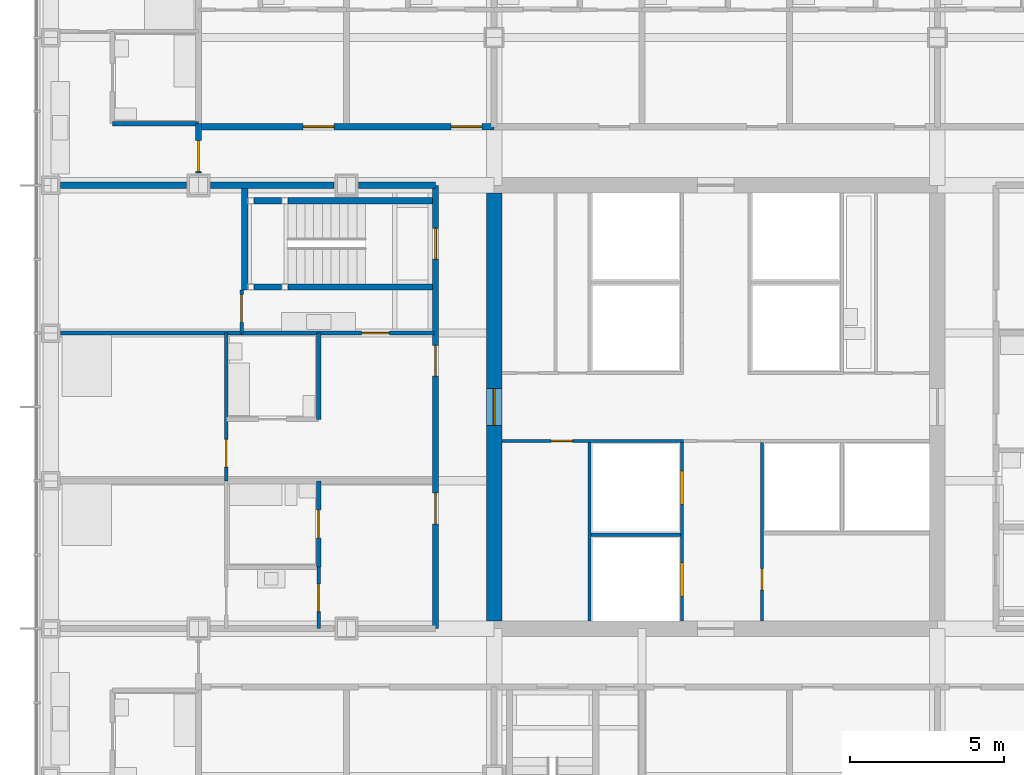
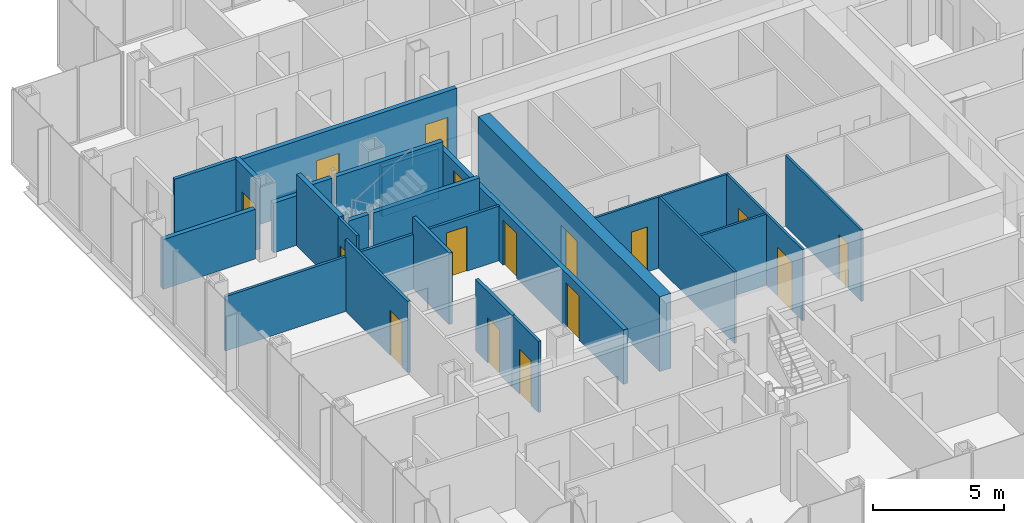
# One storey, part 15 of 22: 25 walls, 16 doors, 16 openings.
"""IFC4 building model written with IfcOpenShell, lengths in metres."""

from ifc_helpers import new_model, si_unit, direction, frame, frame_2d, origin, place, context, subcontext, project, spatial, rectangle, extrude, material, layer, layer_set, type_object, element, fill, save


model = new_model("IFC4")

# Units and contexts
model_context = context("Model", 3, precision=1e-05, world=origin(), true_north=direction((0.0, 1.0)))
body_context = subcontext(model_context, "Body", "Model", "MODEL_VIEW")
ifc_project = project(units=[si_unit("LENGTHUNIT", "METRE"), si_unit("AREAUNIT", "SQUARE_METRE"), si_unit("VOLUMEUNIT", "CUBIC_METRE"), si_unit("PLANEANGLEUNIT", "RADIAN"), si_unit("MASSUNIT", "GRAM", prefix="KILO")], contexts=[model_context])

# Site, building, storey
site_placement = place(None, origin())
site = spatial("IfcSite", under=ifc_project, at=site_placement, CompositionType="ELEMENT")
building_placement = place(site_placement, origin())
building = spatial("IfcBuilding", under=site, at=building_placement, Name="Kvirike Care Tower", CompositionType="ELEMENT")
storey_placement = place(building_placement, frame((0.0, 0.0, 69.0)))
storey = spatial("IfcBuildingStorey", under=building, at=storey_placement, Name="L18", CompositionType="ELEMENT", Elevation=69.0)

# Wall
ifc_material_1 = material(Name="Moisture-resistant board partition", Category="gypsum")
ifc_layer_1 = layer(ifc_material_1, 0.14990234375)
ifc_layer_set_1 = layer_set([ifc_layer_1], Name="BATHROOM WALL 150")
wall_type_1 = type_object("IfcWallType", Name="BATHROOM WALL 150", PredefinedType="PARTITIONING", material=ifc_layer_set_1)
wall_1_placement = place(storey_placement, frame((8.699951171875, 38.39990234375, 0.0), z_axis=(0.0, 0.0, 1.0), x_axis=(0.0, -1.0, 0.0)))
element("IfcWall", 1, at=wall_1_placement, inside=storey, type_object=wall_type_1, Name="Bathroom Wall 150 L18", PredefinedType="PARTITIONING", context=body_context, shape_type="SweptSolid", body=[
    extrude(rectangle(XDim=2.7998046875, YDim=0.14990234375, at=frame_2d((1.39990234375, 0.0))), origin(), (0.0, 0.0, 1.0), 3.330078125),
])

# Wall, opening, door
wall_2_placement = place(storey_placement, frame((8.699951171875, 33.60009765625, 0.0), z_axis=(0.0, 0.0, 1.0), x_axis=(0.0, -1.0, 0.0)))
wall_2 = element("IfcWall", 2, at=wall_2_placement, inside=storey, type_object=wall_type_1, Name="Bathroom Wall 150 L18", PredefinedType="PARTITIONING", context=body_context, shape_type="SweptSolid", body=[
    extrude(rectangle(XDim=2.800048828125, YDim=0.14990234375, at=frame_2d((1.39990234375, 0.0))), origin(), (0.0, 0.0, 1.0), 3.330078125),
])
opening_1_placement = place(wall_2_placement, frame((0.949951171875, 0.0, 0.0)))
opening_1 = element("IfcOpeningElement", 3, at=opening_1_placement, cuts=wall_2, Name="Opening 18-016", PredefinedType="OPENING", context=body_context, shape_type="SweptSolid", body=[
    extrude(rectangle(XDim=0.89990234375, YDim=2.10009765625, at=frame_2d((0.449951171875, 1.050048828125))), frame((0.0, 0.08544921875, 0.0), z_axis=(0.0, -1.0, 0.0), x_axis=(1.0, 0.0, 0.0)), (0.0, 0.0, 1.0), 0.1708984375),
])
ifc_material_2 = material(Name="Timber door set", Category="wood")
door_type_1 = type_object("IfcDoorType", Name="BATHROOM DOOR 900", OperationType="SINGLE_SWING_RIGHT", PredefinedType="DOOR", material=ifc_material_2)
door_1_placement = place(opening_1_placement, frame((0.89990234375, 0.0, 0.0), z_axis=(0.0, 0.0, 1.0), x_axis=(-1.0, 0.0, 0.0)))
door_1 = element("IfcDoor", 4, at=door_1_placement, inside=storey, type_object=door_type_1, Name="Bathroom door", OperationType="SINGLE_SWING_LEFT", OverallHeight=2.10009765625, OverallWidth=0.89990234375, PredefinedType="DOOR", context=body_context, shape_type="SweptSolid", body=[
    extrude(rectangle(XDim=0.89990234375, YDim=2.10009765625, at=frame_2d((0.449951171875, 1.050048828125))), frame((0.0, 0.02197265625, 0.0), z_axis=(0.0, -1.0, 0.0), x_axis=(1.0, 0.0, 0.0)), (0.0, 0.0, 1.0), 0.0439453125),
])
fill(opening_1, door_1)

# Wall
wall_3_placement = place(storey_placement, frame((4.800048828125, 45.199951171875, 0.0), z_axis=(0.0, 0.0, 1.0), x_axis=(-1.0, 0.0, 0.0)))
element("IfcWall", 5, at=wall_3_placement, inside=storey, type_object=wall_type_1, Name="Bathroom Wall 150 L18", PredefinedType="PARTITIONING", context=body_context, shape_type="SweptSolid", body=[
    extrude(rectangle(XDim=2.800048828125, YDim=0.14990234375, at=frame_2d((1.39990234375, 0.0))), origin(), (0.0, 0.0, 1.0), 3.330078125),
])

# Wall, opening, door
ifc_material_3 = material(Name="Concrete C60/75", Category="concrete")
ifc_layer_2 = layer(ifc_material_3, 0.5)
ifc_layer_set_2 = layer_set([ifc_layer_2], Name="CORE WALL 500 C60-75")
wall_type_2 = type_object("IfcWallType", Name="CORE WALL 500 C60-75", PredefinedType="SHEAR", material=ifc_layer_set_2)
wall_4_placement = place(storey_placement, frame((14.39990234375, 42.949951171875, -0.169921875), z_axis=(0.0, 0.0, 1.0), x_axis=(0.0, -1.0, 0.0)))
wall_4 = element("IfcWall", 6, at=wall_4_placement, inside=storey, type_object=wall_type_2, Name="Core wall W L18", PredefinedType="SHEAR", context=body_context, shape_type="SweptSolid", body=[
    extrude(rectangle(XDim=13.89990234375, YDim=0.5, at=frame_2d((6.949951171875, 0.0))), origin(), (0.0, 0.0, 1.0), 3.5),
])
opening_2_placement = place(wall_4_placement, frame((6.35009765625, 0.0, 0.169921875)))
opening_2 = element("IfcOpeningElement", 7, at=opening_2_placement, cuts=wall_4, Name="Opening 18-099", PredefinedType="OPENING", context=body_context, shape_type="SweptSolid", body=[
    extrude(rectangle(XDim=1.199951171875, YDim=2.10009765625, at=frame_2d((0.60009765625, 1.050048828125))), frame((0.0, 0.260498046875, 0.0), z_axis=(0.0, -1.0, 0.0), x_axis=(1.0, 0.0, 0.0)), (0.0, 0.0, 1.0), 0.52099609375),
])
ifc_material_4 = material(Name="Timber door set", Category="wood")
door_type_2 = type_object("IfcDoorType", Name="CORE DOOR 1200", OperationType="SINGLE_SWING_LEFT", PredefinedType="DOOR", material=ifc_material_4)
door_2_placement = place(opening_2_placement, origin())
door_2 = element("IfcDoor", 8, at=door_2_placement, inside=storey, type_object=door_type_2, Name="Core door W L18", OperationType="SINGLE_SWING_LEFT", OverallHeight=2.10009765625, OverallWidth=1.199951171875, PredefinedType="DOOR", context=body_context, shape_type="SweptSolid", body=[
    extrude(rectangle(XDim=1.199951171875, YDim=2.10009765625, at=frame_2d((0.60009765625, 1.050048828125))), frame((0.0, 0.02685546875, 0.0), z_axis=(0.0, -1.0, 0.0), x_axis=(1.0, 0.0, 0.0)), (0.0, 0.0, 1.0), 0.053955078125),
])
fill(opening_2, door_2)

# Wall, openings, doors
ifc_material_5 = material(Name="Plasterboard corridor wall", Category="gypsum")
ifc_layer_3 = layer(ifc_material_5, 0.199951171875)
ifc_layer_set_3 = layer_set([ifc_layer_3], Name="CORRIDOR WALL 200")
wall_type_3 = type_object("IfcWallType", Name="CORRIDOR WALL 200", PredefinedType="PARTITIONING", material=ifc_layer_set_3)
wall_5_placement = place(storey_placement, frame((12.5, 43.199951171875, 0.0), z_axis=(0.0, 0.0, 1.0), x_axis=(0.0, -1.0, 0.0)))
wall_5 = element("IfcWall", 9, at=wall_5_placement, inside=storey, type_object=wall_type_3, Name="Corridor Wall 200 L18", PredefinedType="PARTITIONING", context=body_context, shape_type="SweptSolid", body=[
    extrude(rectangle(XDim=14.39990234375, YDim=0.199951171875, at=frame_2d((7.199951171875, 0.0))), origin(), (0.0, 0.0, 1.0), 2.550048828125),
])
opening_3_placement = place(wall_5_placement, frame((1.39990234375, 0.0, 0.0)))
opening_3 = element("IfcOpeningElement", 10, at=opening_3_placement, cuts=wall_5, Name="Opening 18-019", PredefinedType="OPENING", context=body_context, shape_type="SweptSolid", body=[
    extrude(rectangle(XDim=1.0, YDim=2.10009765625, at=frame_2d((0.5, 1.050048828125))), frame((0.0, 0.110595703125, 0.0), z_axis=(0.0, -1.0, 0.0), x_axis=(1.0, 0.0, 0.0)), (0.0, 0.0, 1.0), 0.220947265625),
])
opening_4_placement = place(wall_5_placement, frame((5.199951171875, 0.0, 0.0)))
opening_4 = element("IfcOpeningElement", 11, at=opening_4_placement, cuts=wall_5, Name="Opening 18-020", PredefinedType="OPENING", context=body_context, shape_type="SweptSolid", body=[
    extrude(rectangle(XDim=1.0, YDim=2.10009765625, at=frame_2d((0.5, 1.050048828125))), frame((0.0, 0.110595703125, 0.0), z_axis=(0.0, -1.0, 0.0), x_axis=(1.0, 0.0, 0.0)), (0.0, 0.0, 1.0), 0.220947265625),
])
opening_5_placement = place(wall_5_placement, frame((10.0, 0.0, 0.0)))
opening_5 = element("IfcOpeningElement", 12, at=opening_5_placement, cuts=wall_5, Name="Opening 18-021", PredefinedType="OPENING", context=body_context, shape_type="SweptSolid", body=[
    extrude(rectangle(XDim=1.0, YDim=2.10009765625, at=frame_2d((0.5, 1.050048828125))), frame((0.0, 0.110595703125, 0.0), z_axis=(0.0, -1.0, 0.0), x_axis=(1.0, 0.0, 0.0)), (0.0, 0.0, 1.0), 0.220947265625),
])
ifc_material_6 = material(Name="Timber door set", Category="wood")
door_type_3 = type_object("IfcDoorType", Name="FLAT ENTRANCE DOOR 1000", OperationType="SINGLE_SWING_LEFT", PredefinedType="DOOR", material=ifc_material_6)
door_3_placement = place(opening_4_placement, frame((1.0, 0.0, 0.0), z_axis=(0.0, 0.0, 1.0), x_axis=(-1.0, 0.0, 0.0)))
door_3 = element("IfcDoor", 13, at=door_3_placement, inside=storey, type_object=door_type_3, Name="One-bedroom apartment entrance", OperationType="SINGLE_SWING_LEFT", OverallHeight=2.10009765625, OverallWidth=1.0, PredefinedType="DOOR", context=body_context, shape_type="SweptSolid", body=[
    extrude(rectangle(XDim=1.0, YDim=2.10009765625, at=frame_2d((0.5, 1.050048828125))), frame((0.0, 0.02685546875, 0.0), z_axis=(0.0, -1.0, 0.0), x_axis=(1.0, 0.0, 0.0)), (0.0, 0.0, 1.0), 0.053955078125),
])
fill(opening_4, door_3)
door_4_placement = place(opening_5_placement, frame((1.0, 0.0, 0.0), z_axis=(0.0, 0.0, 1.0), x_axis=(-1.0, 0.0, 0.0)))
door_4 = element("IfcDoor", 14, at=door_4_placement, inside=storey, type_object=door_type_3, Name="Studio apartment entrance", OperationType="SINGLE_SWING_LEFT", OverallHeight=2.10009765625, OverallWidth=1.0, PredefinedType="DOOR", context=body_context, shape_type="SweptSolid", body=[
    extrude(rectangle(XDim=1.0, YDim=2.10009765625, at=frame_2d((0.5, 1.050048828125))), frame((0.0, 0.02685546875, 0.0), z_axis=(0.0, -1.0, 0.0), x_axis=(1.0, 0.0, 0.0)), (0.0, 0.0, 1.0), 0.053955078125),
])
fill(opening_5, door_4)
ifc_material_7 = material(Name="Timber door set", Category="wood")
door_type_4 = type_object("IfcDoorType", Name="STAIR DOOR 1000", OperationType="SINGLE_SWING_LEFT", PredefinedType="DOOR", material=ifc_material_7)
door_5_placement = place(opening_3_placement, frame((1.0, 0.0, 0.0), z_axis=(0.0, 0.0, 1.0), x_axis=(-1.0, 0.0, 0.0)))
door_5 = element("IfcDoor", 15, at=door_5_placement, inside=storey, type_object=door_type_4, Name="Stair 1 door", OperationType="SINGLE_SWING_LEFT", OverallHeight=2.10009765625, OverallWidth=1.0, PredefinedType="DOOR", context=body_context, shape_type="SweptSolid", body=[
    extrude(rectangle(XDim=1.0, YDim=2.10009765625, at=frame_2d((0.5, 1.050048828125))), frame((0.0, 0.031982421875, 0.0), z_axis=(0.0, -1.0, 0.0), x_axis=(1.0, 0.0, 0.0)), (0.0, 0.0, 1.0), 0.06396484375),
])
fill(opening_3, door_5)

wall_6_placement = place(storey_placement, frame((14.39990234375, 45.10009765625, 0.0), z_axis=(0.0, 0.0, 1.0), x_axis=(-1.0, 0.0, 0.0)))
wall_6 = element("IfcWall", 16, at=wall_6_placement, inside=storey, type_object=wall_type_3, Name="Corridor Wall 200 L18", PredefinedType="PARTITIONING", context=body_context, shape_type="SweptSolid", body=[
    extrude(rectangle(XDim=9.599853515625, YDim=0.199951171875, at=frame_2d((4.7998046875, 0.0))), origin(), (0.0, 0.0, 1.0), 3.330078125),
])
opening_6_placement = place(wall_6_placement, frame((0.39990234375, 0.0, 0.0)))
opening_6 = element("IfcOpeningElement", 17, at=opening_6_placement, cuts=wall_6, Name="Opening 18-030", PredefinedType="OPENING", context=body_context, shape_type="SweptSolid", body=[
    extrude(rectangle(XDim=1.0, YDim=2.10009765625, at=frame_2d((0.5, 1.050048828125))), frame((0.0, 0.110595703125, 0.0), z_axis=(0.0, -1.0, 0.0), x_axis=(1.0, 0.0, 0.0)), (0.0, 0.0, 1.0), 0.220947265625),
])
opening_7_placement = place(wall_6_placement, frame((5.199951171875, 0.0, 0.0)))
opening_7 = element("IfcOpeningElement", 18, at=opening_7_placement, cuts=wall_6, Name="Opening 18-031", PredefinedType="OPENING", context=body_context, shape_type="SweptSolid", body=[
    extrude(rectangle(XDim=1.0, YDim=2.10009765625, at=frame_2d((0.5, 1.050048828125))), frame((0.0, 0.110595703125, 0.0), z_axis=(0.0, -1.0, 0.0), x_axis=(1.0, 0.0, 0.0)), (0.0, 0.0, 1.0), 0.220947265625),
])
door_6_placement = place(opening_6_placement, frame((1.0, 0.0, 0.0), z_axis=(0.0, 0.0, 1.0), x_axis=(-1.0, 0.0, 0.0)))
door_6 = element("IfcDoor", 19, at=door_6_placement, inside=storey, type_object=door_type_3, Name="Studio apartment entrance", OperationType="SINGLE_SWING_LEFT", OverallHeight=2.10009765625, OverallWidth=1.0, PredefinedType="DOOR", context=body_context, shape_type="SweptSolid", body=[
    extrude(rectangle(XDim=1.0, YDim=2.10009765625, at=frame_2d((0.5, 1.050048828125))), frame((0.0, 0.02685546875, 0.0), z_axis=(0.0, -1.0, 0.0), x_axis=(1.0, 0.0, 0.0)), (0.0, 0.0, 1.0), 0.053955078125),
])
fill(opening_6, door_6)
door_7_placement = place(opening_7_placement, frame((1.0, 0.0, 0.0), z_axis=(0.0, 0.0, 1.0), x_axis=(-1.0, 0.0, 0.0)))
door_7 = element("IfcDoor", 20, at=door_7_placement, inside=storey, type_object=door_type_3, Name="Studio apartment entrance", OperationType="SINGLE_SWING_LEFT", OverallHeight=2.10009765625, OverallWidth=1.0, PredefinedType="DOOR", context=body_context, shape_type="SweptSolid", body=[
    extrude(rectangle(XDim=1.0, YDim=2.10009765625, at=frame_2d((0.5, 1.050048828125))), frame((0.0, 0.02685546875, 0.0), z_axis=(0.0, -1.0, 0.0), x_axis=(1.0, 0.0, 0.0)), (0.0, 0.0, 1.0), 0.053955078125),
])
fill(opening_7, door_7)

# Wall, opening, door
wall_7_placement = place(storey_placement, frame((4.800048828125, 45.199951171875, 0.0), z_axis=(0.0, 0.0, 1.0), x_axis=(0.0, -1.0, 0.0)))
wall_7 = element("IfcWall", 21, at=wall_7_placement, inside=storey, type_object=wall_type_3, Name="Corridor Wall 200 L18", PredefinedType="PARTITIONING", context=body_context, shape_type="SweptSolid", body=[
    extrude(rectangle(XDim=1.60498046875, YDim=0.199951171875, at=frame_2d((0.802490234375, 0.0))), origin(), (0.0, 0.0, 1.0), 3.330078125),
])
opening_8_placement = place(wall_7_placement, frame((0.550048828125, 0.0, 0.0)))
opening_8 = element("IfcOpeningElement", 22, at=opening_8_placement, cuts=wall_7, Name="Opening 18-032", PredefinedType="OPENING", context=body_context, shape_type="SweptSolid", body=[
    extrude(rectangle(XDim=1.0, YDim=2.10009765625, at=frame_2d((0.5, 1.050048828125))), frame((0.0, 0.110595703125, 0.0), z_axis=(0.0, -1.0, 0.0), x_axis=(1.0, 0.0, 0.0)), (0.0, 0.0, 1.0), 0.220947265625),
])
door_8_placement = place(opening_8_placement, frame((1.0, 0.0, 0.0), z_axis=(0.0, 0.0, 1.0), x_axis=(-1.0, 0.0, 0.0)))
door_8 = element("IfcDoor", 23, at=door_8_placement, inside=storey, type_object=door_type_3, Name="Studio apartment entrance", OperationType="SINGLE_SWING_RIGHT", OverallHeight=2.10009765625, OverallWidth=1.0, PredefinedType="DOOR", context=body_context, shape_type="SweptSolid", body=[
    extrude(rectangle(XDim=1.0, YDim=2.10009765625, at=frame_2d((0.5, 1.050048828125))), frame((0.0, 0.02685546875, 0.0), z_axis=(0.0, -1.0, 0.0), x_axis=(1.0, 0.0, 0.0)), (0.0, 0.0, 1.0), 0.053955078125),
])
fill(opening_8, door_8)

ifc_material_8 = material(Name="Plasterboard partition", Category="gypsum")
ifc_layer_4 = layer(ifc_material_8, 0.1201171875)
ifc_layer_set_4 = layer_set([ifc_layer_4], Name="PARTITION 120")
wall_type_4 = type_object("IfcWallType", Name="PARTITION 120", PredefinedType="PARTITIONING", material=ifc_layer_set_4)
wall_8_placement = place(storey_placement, frame((6.199951171875, 38.39990234375, 0.0), z_axis=(0.0, 0.0, 1.0), x_axis=(1.0, 0.0, 0.0)))
wall_8 = element("IfcWall", 24, at=wall_8_placement, inside=storey, type_object=wall_type_4, Name="Partition 120 L18", PredefinedType="PARTITIONING", context=body_context, shape_type="SweptSolid", body=[
    extrude(rectangle(XDim=6.25, YDim=0.1201171875, at=frame_2d((3.125, 0.0))), origin(), (0.0, 0.0, 1.0), 2.550048828125),
])
opening_9_placement = place(wall_8_placement, frame((3.89990234375, 0.0, 0.0)))
opening_9 = element("IfcOpeningElement", 25, at=opening_9_placement, cuts=wall_8, Name="Opening 18-013", PredefinedType="OPENING", context=body_context, shape_type="SweptSolid", body=[
    extrude(rectangle(XDim=0.89990234375, YDim=2.10009765625, at=frame_2d((0.449951171875, 1.050048828125))), frame((0.0, 0.070556640625, 0.0), z_axis=(0.0, -1.0, 0.0), x_axis=(1.0, 0.0, 0.0)), (0.0, 0.0, 1.0), 0.14111328125),
])
ifc_material_9 = material(Name="Timber door set", Category="wood")
door_type_5 = type_object("IfcDoorType", Name="INTERNAL DOOR 900", OperationType="SINGLE_SWING_LEFT", PredefinedType="DOOR", material=ifc_material_9)
door_9_placement = place(opening_9_placement, origin())
door_9 = element("IfcDoor", 26, at=door_9_placement, inside=storey, type_object=door_type_5, Name="Hall door", OperationType="SINGLE_SWING_LEFT", OverallHeight=2.10009765625, OverallWidth=0.89990234375, PredefinedType="DOOR", context=body_context, shape_type="SweptSolid", body=[
    extrude(rectangle(XDim=0.89990234375, YDim=2.10009765625, at=frame_2d((0.449951171875, 1.050048828125))), frame((0.0, 0.02197265625, 0.0), z_axis=(0.0, -1.0, 0.0), x_axis=(1.0, 0.0, 0.0)), (0.0, 0.0, 1.0), 0.0439453125),
])
fill(opening_9, door_9)

wall_9_placement = place(storey_placement, frame((6.199951171875, 39.800048828125, 0.0), z_axis=(0.0, 0.0, 1.0), x_axis=(0.0, -1.0, 0.0)))
wall_9 = element("IfcWall", 27, at=wall_9_placement, inside=storey, type_object=wall_type_4, Name="Partition 120 L18", PredefinedType="PARTITIONING", context=body_context, shape_type="SweptSolid", body=[
    extrude(rectangle(XDim=1.400146484375, YDim=0.1201171875, at=frame_2d((0.7001953125, 0.0))), origin(), (0.0, 0.0, 1.0), 3.330078125),
])
opening_10_placement = place(wall_9_placement, frame((0.14990234375, 0.0, 0.0)))
opening_10 = element("IfcOpeningElement", 28, at=opening_10_placement, cuts=wall_9, Name="Opening 18-014", PredefinedType="OPENING", context=body_context, shape_type="SweptSolid", body=[
    extrude(rectangle(XDim=0.89990234375, YDim=2.10009765625, at=frame_2d((0.449951171875, 1.050048828125))), frame((0.0, 0.070556640625, 0.0), z_axis=(0.0, -1.0, 0.0), x_axis=(1.0, 0.0, 0.0)), (0.0, 0.0, 1.0), 0.14111328125),
])
door_10_placement = place(opening_10_placement, origin())
door_10 = element("IfcDoor", 29, at=door_10_placement, inside=storey, type_object=door_type_5, Name="Apartment living room door", OperationType="SINGLE_SWING_RIGHT", OverallHeight=2.10009765625, OverallWidth=0.89990234375, PredefinedType="DOOR", context=body_context, shape_type="SweptSolid", body=[
    extrude(rectangle(XDim=0.89990234375, YDim=2.10009765625, at=frame_2d((0.449951171875, 1.050048828125))), frame((0.0, 0.02197265625, 0.0), z_axis=(0.0, -1.0, 0.0), x_axis=(1.0, 0.0, 0.0)), (0.0, 0.0, 1.0), 0.0439453125),
])
fill(opening_10, door_10)

wall_10_placement = place(storey_placement, frame((5.699951171875, 38.39990234375, 0.0), z_axis=(0.0, 0.0, 1.0), x_axis=(0.0, -1.0, 0.0)))
wall_10 = element("IfcWall", 30, at=wall_10_placement, inside=storey, type_object=wall_type_4, Name="Partition 120 L18", PredefinedType="PARTITIONING", context=body_context, shape_type="SweptSolid", body=[
    extrude(rectangle(XDim=4.7998046875, YDim=0.1201171875, at=frame_2d((2.39990234375, 0.0))), origin(), (0.0, 0.0, 1.0), 3.330078125),
])
opening_11_placement = place(wall_10_placement, frame((3.449951171875, 0.0, 0.0)))
opening_11 = element("IfcOpeningElement", 31, at=opening_11_placement, cuts=wall_10, Name="Opening 18-015", PredefinedType="OPENING", context=body_context, shape_type="SweptSolid", body=[
    extrude(rectangle(XDim=0.89990234375, YDim=2.10009765625, at=frame_2d((0.449951171875, 1.050048828125))), frame((0.0, 0.070556640625, 0.0), z_axis=(0.0, -1.0, 0.0), x_axis=(1.0, 0.0, 0.0)), (0.0, 0.0, 1.0), 0.14111328125),
])
door_11_placement = place(opening_11_placement, origin())
door_11 = element("IfcDoor", 32, at=door_11_placement, inside=storey, type_object=door_type_5, Name="Apartment bedroom door", OperationType="SINGLE_SWING_LEFT", OverallHeight=2.10009765625, OverallWidth=0.89990234375, PredefinedType="DOOR", context=body_context, shape_type="SweptSolid", body=[
    extrude(rectangle(XDim=0.89990234375, YDim=2.10009765625, at=frame_2d((0.449951171875, 1.050048828125))), frame((0.0, 0.02197265625, 0.0), z_axis=(0.0, -1.0, 0.0), x_axis=(1.0, 0.0, 0.0)), (0.0, 0.0, 1.0), 0.0439453125),
])
fill(opening_11, door_11)

# Wall
wall_11_placement = place(storey_placement, frame((0.320068359375, 38.39990234375, 0.0), z_axis=(0.0, 0.0, 1.0), x_axis=(1.0, 0.0, 0.0)))
element("IfcWall", 33, at=wall_11_placement, inside=storey, type_object=wall_type_4, Name="Partition 120 L18", PredefinedType="PARTITIONING", context=body_context, shape_type="SweptSolid", body=[
    extrude(rectangle(XDim=5.8798828125, YDim=0.1201171875, at=frame_2d((2.93994140625, 0.0))), origin(), (0.0, 0.0, 1.0), 2.550048828125),
])

# Wall, opening, door
wall_12_placement = place(storey_placement, frame((8.699951171875, 30.800048828125, 0.0), z_axis=(0.0, 0.0, 1.0), x_axis=(0.0, -1.0, 0.0)))
wall_12 = element("IfcWall", 34, at=wall_12_placement, inside=storey, type_object=wall_type_4, Name="Partition 120 L18", PredefinedType="PARTITIONING", context=body_context, shape_type="SweptSolid", body=[
    extrude(rectangle(XDim=2.0, YDim=0.1201171875, at=frame_2d((1.0, 0.0))), origin(), (0.0, 0.0, 1.0), 3.330078125),
])
opening_12_placement = place(wall_12_placement, frame((0.550048828125, 0.0, 0.0)))
opening_12 = element("IfcOpeningElement", 35, at=opening_12_placement, cuts=wall_12, Name="Opening 18-017", PredefinedType="OPENING", context=body_context, shape_type="SweptSolid", body=[
    extrude(rectangle(XDim=0.89990234375, YDim=2.10009765625, at=frame_2d((0.449951171875, 1.050048828125))), frame((0.0, 0.070556640625, 0.0), z_axis=(0.0, -1.0, 0.0), x_axis=(1.0, 0.0, 0.0)), (0.0, 0.0, 1.0), 0.14111328125),
])
door_12_placement = place(opening_12_placement, frame((0.89990234375, 0.0, 0.0), z_axis=(0.0, 0.0, 1.0), x_axis=(-1.0, 0.0, 0.0)))
door_12 = element("IfcDoor", 36, at=door_12_placement, inside=storey, type_object=door_type_5, Name="Kitchen door", OperationType="SINGLE_SWING_RIGHT", OverallHeight=2.10009765625, OverallWidth=0.89990234375, PredefinedType="DOOR", context=body_context, shape_type="SweptSolid", body=[
    extrude(rectangle(XDim=0.89990234375, YDim=2.10009765625, at=frame_2d((0.449951171875, 1.050048828125))), frame((0.0, 0.02197265625, 0.0), z_axis=(0.0, -1.0, 0.0), x_axis=(1.0, 0.0, 0.0)), (0.0, 0.0, 1.0), 0.0439453125),
])
fill(opening_12, door_12)

# Walls
ifc_material_10 = material(Name="Plasterboard party wall", Category="gypsum")
ifc_layer_5 = layer(ifc_material_10, 0.199951171875)
ifc_layer_set_5 = layer_set([ifc_layer_5], Name="PARTY WALL 200")
wall_type_5 = type_object("IfcWallType", Name="PARTY WALL 200", PredefinedType="PARTITIONING", material=ifc_layer_set_5)
wall_13_placement = place(storey_placement, frame((12.5, 43.199951171875, 0.0), z_axis=(0.0, 0.0, 1.0), x_axis=(-1.0, 0.0, 0.0)))
element("IfcWall", 37, at=wall_13_placement, inside=storey, type_object=wall_type_5, Name="Party Wall 200 L18", PredefinedType="PARTITIONING", context=body_context, shape_type="SweptSolid", body=[
    extrude(rectangle(XDim=2.5048828125, YDim=0.199951171875, at=frame_2d((1.25244140625, 0.0))), origin(), (0.0, 0.0, 1.0), 2.320068359375),
])
wall_14_placement = place(storey_placement, frame((9.205078125, 43.199951171875, 0.0), z_axis=(0.0, 0.0, 1.0), x_axis=(-1.0, 0.0, 0.0)))
element("IfcWall", 38, at=wall_14_placement, inside=storey, type_object=wall_type_5, Name="Party Wall 200 L18", PredefinedType="PARTITIONING", context=body_context, shape_type="SweptSolid", body=[
    extrude(rectangle(XDim=4.010009765625, YDim=0.199951171875, at=frame_2d((2.0048828125, 0.0))), origin(), (0.0, 0.0, 1.0), 2.320068359375),
])
wall_15_placement = place(storey_placement, frame((4.405029296875, 43.199951171875, 0.0), z_axis=(0.0, 0.0, 1.0), x_axis=(-1.0, 0.0, 0.0)))
element("IfcWall", 39, at=wall_15_placement, inside=storey, type_object=wall_type_5, Name="Party Wall 200 L18", PredefinedType="PARTITIONING", context=body_context, shape_type="SweptSolid", body=[
    extrude(rectangle(XDim=4.0849609375, YDim=0.199951171875, at=frame_2d((2.04248046875, 0.0))), origin(), (0.0, 0.0, 1.0), 2.320068359375),
])

# Wall, openings, doors
ifc_material_11 = material(Name="Gypsum shaft wall system", Category="gypsum")
ifc_layer_6 = layer(ifc_material_11, 0.10009765625)
ifc_layer_set_6 = layer_set([ifc_layer_6], Name="SHAFT WALL 100")
wall_type_6 = type_object("IfcWallType", Name="SHAFT WALL 100", PredefinedType="SOLIDWALL", material=ifc_layer_set_6)
wall_16_placement = place(storey_placement, frame((20.5, 29.050048828125, 0.0), z_axis=(0.0, 0.0, 1.0), x_axis=(0.0, 1.0, 0.0)))
wall_16 = element("IfcWall", 40, at=wall_16_placement, inside=storey, type_object=wall_type_6, Name="Shaft Wall 100 L18", PredefinedType="SOLIDWALL", context=body_context, shape_type="SweptSolid", body=[
    extrude(rectangle(XDim=5.800048828125, YDim=0.10009765625, at=frame_2d((2.89990234375, 0.0))), origin(), (0.0, 0.0, 1.0), 3.330078125),
])
opening_13_placement = place(wall_16_placement, frame((0.800048828125, 0.0, 0.0)))
opening_13 = element("IfcOpeningElement", 41, at=opening_13_placement, cuts=wall_16, Name="Opening 18-087", PredefinedType="OPENING", context=body_context, shape_type="SweptSolid", body=[
    extrude(rectangle(XDim=1.10009765625, YDim=2.300048828125, at=frame_2d((0.550048828125, 1.14990234375))), frame((0.0, 0.060546875, 0.0), z_axis=(0.0, -1.0, 0.0), x_axis=(1.0, 0.0, 0.0)), (0.0, 0.0, 1.0), 0.12109375),
])
opening_14_placement = place(wall_16_placement, frame((3.77490234375, 0.0, 0.0)))
opening_14 = element("IfcOpeningElement", 42, at=opening_14_placement, cuts=wall_16, Name="Opening 18-088", PredefinedType="OPENING", context=body_context, shape_type="SweptSolid", body=[
    extrude(rectangle(XDim=1.10009765625, YDim=2.300048828125, at=frame_2d((0.550048828125, 1.14990234375))), frame((0.0, 0.060546875, 0.0), z_axis=(0.0, -1.0, 0.0), x_axis=(1.0, 0.0, 0.0)), (0.0, 0.0, 1.0), 0.12109375),
])
ifc_material_12 = material(Name="Aluminium door frame", Category="aluminium")
door_type_6 = type_object("IfcDoorType", Name="FIRE-FIGHTING LIFT LANDING DOOR 1100", OperationType="SLIDING_TO_LEFT", PredefinedType="DOOR", material=ifc_material_12)
door_13_placement = place(opening_13_placement, origin())
door_13 = element("IfcDoor", 43, at=door_13_placement, inside=storey, type_object=door_type_6, Name="Lift FF1 landing door", OperationType="SLIDING_TO_LEFT", OverallHeight=2.300048828125, OverallWidth=1.10009765625, PredefinedType="DOOR", context=body_context, shape_type="SweptSolid", body=[
    extrude(rectangle(XDim=1.10009765625, YDim=2.300048828125, at=frame_2d((0.550048828125, 1.14990234375))), frame((0.0, 0.0498046875, 0.0), z_axis=(0.0, -1.0, 0.0), x_axis=(1.0, 0.0, 0.0)), (0.0, 0.0, 1.0), 0.099609375),
])
fill(opening_13, door_13)
door_14_placement = place(opening_14_placement, origin())
door_14 = element("IfcDoor", 44, at=door_14_placement, inside=storey, type_object=door_type_6, Name="Lift FF2 landing door", OperationType="SLIDING_TO_LEFT", OverallHeight=2.300048828125, OverallWidth=1.10009765625, PredefinedType="DOOR", context=body_context, shape_type="SweptSolid", body=[
    extrude(rectangle(XDim=1.10009765625, YDim=2.300048828125, at=frame_2d((0.550048828125, 1.14990234375))), frame((0.0, 0.0498046875, 0.0), z_axis=(0.0, -1.0, 0.0), x_axis=(1.0, 0.0, 0.0)), (0.0, 0.0, 1.0), 0.099609375),
])
fill(opening_14, door_14)

# Wall, opening, door
wall_17_placement = place(storey_placement, frame((23.10009765625, 29.050048828125, 0.0), z_axis=(0.0, 0.0, 1.0), x_axis=(0.0, 1.0, 0.0)))
wall_17 = element("IfcWall", 45, at=wall_17_placement, inside=storey, type_object=wall_type_6, Name="Shaft Wall 100 L18", PredefinedType="SOLIDWALL", context=body_context, shape_type="SweptSolid", body=[
    extrude(rectangle(XDim=5.800048828125, YDim=0.10009765625, at=frame_2d((2.89990234375, 0.0))), origin(), (0.0, 0.0, 1.0), 3.330078125),
])
opening_15_placement = place(wall_17_placement, frame((1.0, 0.0, 0.0)))
opening_15 = element("IfcOpeningElement", 46, at=opening_15_placement, cuts=wall_17, Name="Opening 18-091", PredefinedType="OPENING", context=body_context, shape_type="SweptSolid", body=[
    extrude(rectangle(XDim=0.699951171875, YDim=2.10009765625, at=frame_2d((0.35009765625, 1.050048828125))), frame((0.0, 0.060546875, 0.0), z_axis=(0.0, -1.0, 0.0), x_axis=(1.0, 0.0, 0.0)), (0.0, 0.0, 1.0), 0.12109375),
])
ifc_material_13 = material(Name="Timber door set", Category="wood")
door_type_7 = type_object("IfcDoorType", Name="RISER DOOR 700", OperationType="SINGLE_SWING_LEFT", PredefinedType="DOOR", material=ifc_material_13)
door_15_placement = place(opening_15_placement, origin())
door_15 = element("IfcDoor", 47, at=door_15_placement, inside=storey, type_object=door_type_7, Name="Riser door", OperationType="SINGLE_SWING_RIGHT", OverallHeight=2.10009765625, OverallWidth=0.699951171875, PredefinedType="DOOR", context=body_context, shape_type="SweptSolid", body=[
    extrude(rectangle(XDim=0.699951171875, YDim=2.10009765625, at=frame_2d((0.35009765625, 1.050048828125))), frame((0.0, 0.02685546875, 0.0), z_axis=(0.0, -1.0, 0.0), x_axis=(1.0, 0.0, 0.0)), (0.0, 0.0, 1.0), 0.053955078125),
])
fill(opening_15, door_15)

wall_18_placement = place(storey_placement, frame((14.64990234375, 34.89990234375, 0.0), z_axis=(0.0, 0.0, 1.0), x_axis=(1.0, 0.0, 0.0)))
wall_18 = element("IfcWall", 48, at=wall_18_placement, inside=storey, type_object=wall_type_6, Name="Shaft Wall 100 L18", PredefinedType="SOLIDWALL", context=body_context, shape_type="SweptSolid", body=[
    extrude(rectangle(XDim=5.900146484375, YDim=0.10009765625, at=frame_2d((2.9501953125, 0.0))), origin(), (0.0, 0.0, 1.0), 3.330078125),
])
opening_16_placement = place(wall_18_placement, frame((1.60009765625, 0.0, 0.0)))
opening_16 = element("IfcOpeningElement", 49, at=opening_16_placement, cuts=wall_18, Name="Opening 18-092", PredefinedType="OPENING", context=body_context, shape_type="SweptSolid", body=[
    extrude(rectangle(XDim=0.699951171875, YDim=2.10009765625, at=frame_2d((0.35009765625, 1.050048828125))), frame((0.0, 0.060546875, 0.0), z_axis=(0.0, -1.0, 0.0), x_axis=(1.0, 0.0, 0.0)), (0.0, 0.0, 1.0), 0.12109375),
])
door_16_placement = place(opening_16_placement, frame((0.699951171875, 0.0, 0.0), z_axis=(0.0, 0.0, 1.0), x_axis=(-1.0, 0.0, 0.0)))
door_16 = element("IfcDoor", 50, at=door_16_placement, inside=storey, type_object=door_type_7, Name="Riser door", OperationType="SINGLE_SWING_RIGHT", OverallHeight=2.10009765625, OverallWidth=0.699951171875, PredefinedType="DOOR", context=body_context, shape_type="SweptSolid", body=[
    extrude(rectangle(XDim=0.699951171875, YDim=2.10009765625, at=frame_2d((0.35009765625, 1.050048828125))), frame((0.0, 0.02685546875, 0.0), z_axis=(0.0, -1.0, 0.0), x_axis=(1.0, 0.0, 0.0)), (0.0, 0.0, 1.0), 0.053955078125),
])
fill(opening_16, door_16)

# Walls
wall_19_placement = place(storey_placement, frame((17.5, 29.050048828125, 0.0), z_axis=(0.0, 0.0, 1.0), x_axis=(0.0, 1.0, 0.0)))
element("IfcWall", 51, at=wall_19_placement, inside=storey, type_object=wall_type_6, Name="Shaft Wall 100 L18", PredefinedType="SOLIDWALL", context=body_context, shape_type="SweptSolid", body=[
    extrude(rectangle(XDim=5.800048828125, YDim=0.10009765625, at=frame_2d((2.89990234375, 0.0))), origin(), (0.0, 0.0, 1.0), 3.330078125),
])
wall_20_placement = place(storey_placement, frame((17.550048828125, 31.85009765625, 0.0), z_axis=(0.0, 0.0, 1.0), x_axis=(1.0, 0.0, 0.0)))
element("IfcWall", 52, at=wall_20_placement, inside=storey, type_object=wall_type_6, Name="Shaft Wall 100 L18", PredefinedType="SOLIDWALL", context=body_context, shape_type="SweptSolid", body=[
    extrude(rectangle(XDim=2.89990234375, YDim=0.10009765625, at=frame_2d((1.449951171875, 0.0))), origin(), (0.0, 0.0, 1.0), 3.330078125),
])
ifc_material_14 = material(Name="Concrete C40/50", Category="concrete")
ifc_layer_7 = layer(ifc_material_14, 0.199951171875)
ifc_layer_set_7 = layer_set([ifc_layer_7], Name="STAIR WALL 200")
wall_type_7 = type_object("IfcWallType", Name="STAIR WALL 200", PredefinedType="SOLIDWALL", material=ifc_layer_set_7)
wall_21_placement = place(storey_placement, frame((6.60009765625, 42.699951171875, 0.0), z_axis=(0.0, 0.0, 1.0), x_axis=(1.0, 0.0, 0.0)))
element("IfcWall", 53, at=wall_21_placement, inside=storey, type_object=wall_type_7, Name="Stair Wall 200 L18", PredefinedType="SOLIDWALL", context=body_context, shape_type="SweptSolid", body=[
    extrude(rectangle(XDim=0.89990234375, YDim=0.199951171875, at=frame_2d((0.449951171875, 0.0))), origin(), (0.0, 0.0, 1.0), 2.989990234375),
])
wall_22_placement = place(storey_placement, frame((7.699951171875, 42.699951171875, 0.0), z_axis=(0.0, 0.0, 1.0), x_axis=(1.0, 0.0, 0.0)))
element("IfcWall", 54, at=wall_22_placement, inside=storey, type_object=wall_type_7, Name="Stair Wall 200 L18", PredefinedType="SOLIDWALL", context=body_context, shape_type="SweptSolid", body=[
    extrude(rectangle(XDim=4.699951171875, YDim=0.199951171875, at=frame_2d((2.35009765625, 0.0))), origin(), (0.0, 0.0, 1.0), 2.989990234375),
])
wall_23_placement = place(storey_placement, frame((6.60009765625, 39.89990234375, 0.0), z_axis=(0.0, 0.0, 1.0), x_axis=(1.0, 0.0, 0.0)))
element("IfcWall", 55, at=wall_23_placement, inside=storey, type_object=wall_type_7, Name="Stair Wall 200 L18", PredefinedType="SOLIDWALL", context=body_context, shape_type="SweptSolid", body=[
    extrude(rectangle(XDim=0.89990234375, YDim=0.199951171875, at=frame_2d((0.449951171875, 0.0))), origin(), (0.0, 0.0, 1.0), 2.989990234375),
])
wall_24_placement = place(storey_placement, frame((7.699951171875, 39.89990234375, 0.0), z_axis=(0.0, 0.0, 1.0), x_axis=(1.0, 0.0, 0.0)))
element("IfcWall", 56, at=wall_24_placement, inside=storey, type_object=wall_type_7, Name="Stair Wall 200 L18", PredefinedType="SOLIDWALL", context=body_context, shape_type="SweptSolid", body=[
    extrude(rectangle(XDim=4.699951171875, YDim=0.199951171875, at=frame_2d((2.35009765625, 0.0))), origin(), (0.0, 0.0, 1.0), 2.989990234375),
])
wall_25_placement = place(storey_placement, frame((6.300048828125, 43.10009765625, 0.0), z_axis=(0.0, 0.0, 1.0), x_axis=(0.0, -1.0, 0.0)))
element("IfcWall", 57, at=wall_25_placement, inside=storey, type_object=wall_type_7, Name="Stair Wall 200 L18", PredefinedType="SOLIDWALL", context=body_context, shape_type="SweptSolid", body=[
    extrude(rectangle(XDim=3.300048828125, YDim=0.199951171875, at=frame_2d((1.64990234375, 0.0))), origin(), (0.0, 0.0, 1.0), 3.330078125),
])

save(model, "model.ifc")
